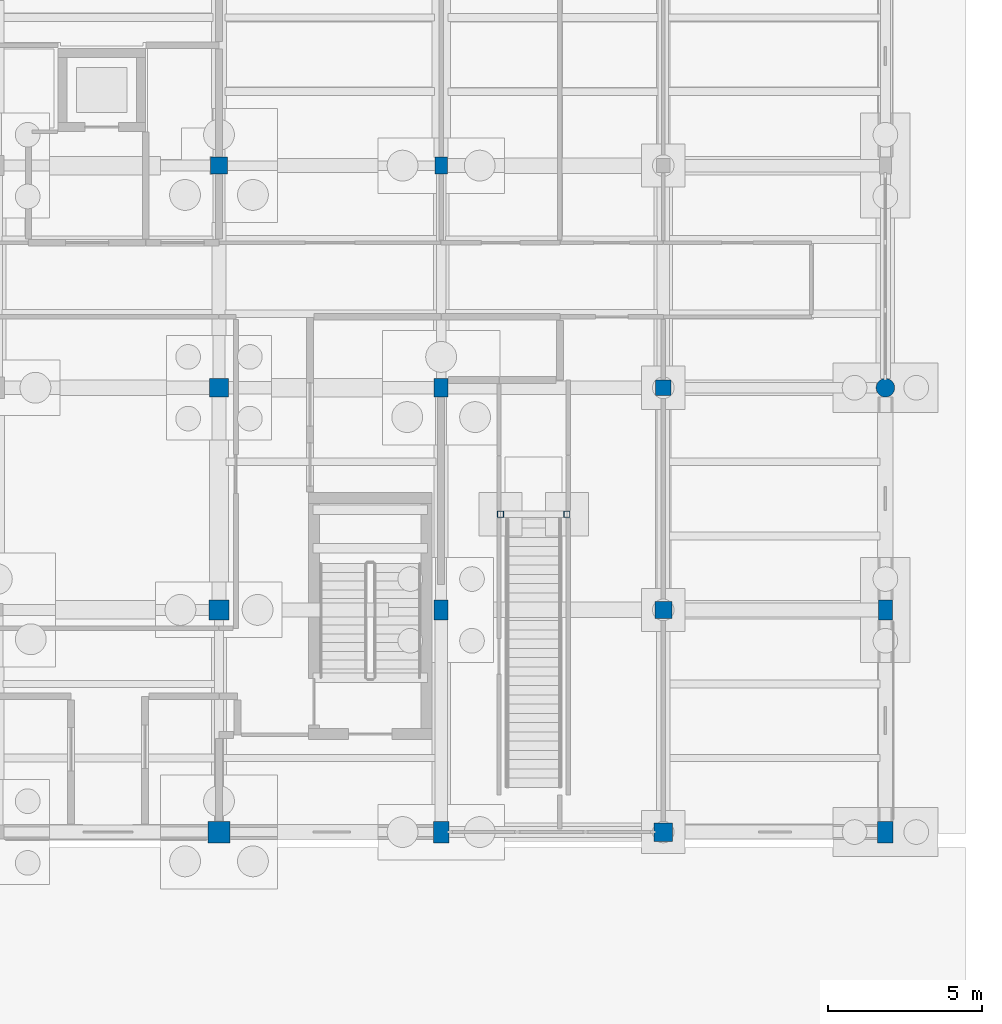
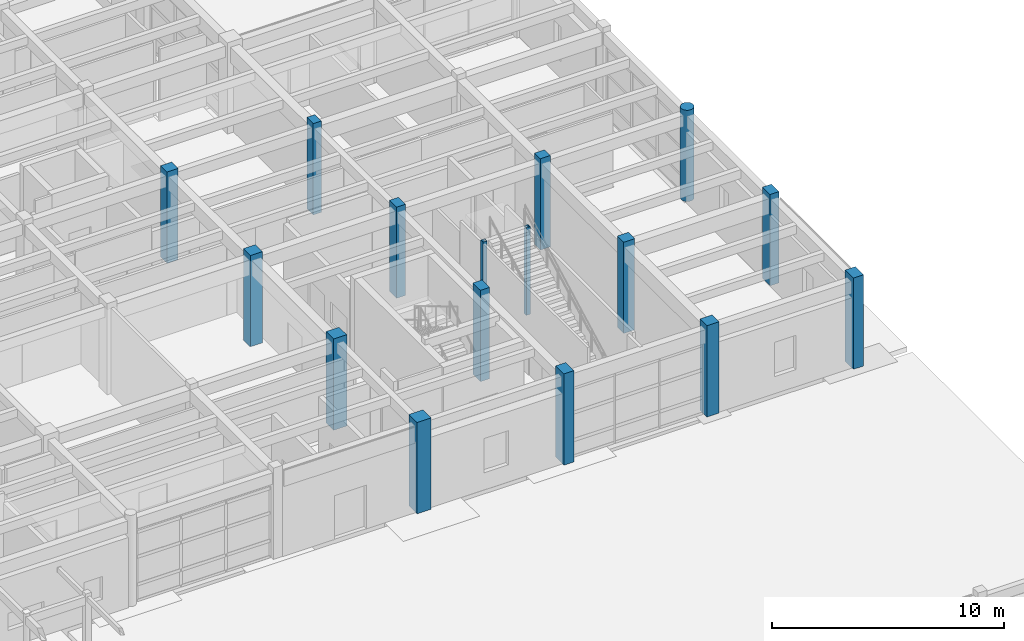
# One storey, part 30 of 143: 16 columns.
"""IFC4 building model written with IfcOpenShell, lengths in metres."""

from ifc_helpers import new_model, si_unit, direction, frame, origin, origin_2d, place, context, subcontext, project, spatial, rectangle, hollow_rectangle, circle, extrude, material, material_profile, profile_set, type_object, element, save


model = new_model("IFC4")

# Units and contexts
model_context = context("Model", 3, precision=1e-05, world=origin(), true_north=direction((0.0, 1.0)))
body_context = subcontext(model_context, "Body", "Model", "MODEL_VIEW")
ifc_project = project(units=[si_unit("LENGTHUNIT", "METRE"), si_unit("AREAUNIT", "SQUARE_METRE"), si_unit("VOLUMEUNIT", "CUBIC_METRE"), si_unit("PLANEANGLEUNIT", "RADIAN"), si_unit("MASSUNIT", "GRAM", prefix="KILO")], contexts=[model_context])

# Site, building, storey
site_placement = place(None, origin())
site = spatial("IfcSite", under=ifc_project, at=site_placement, CompositionType="ELEMENT")
building_placement = place(site_placement, origin())
building = spatial("IfcBuilding", under=site, at=building_placement, Name="Steenspoor Specialist Clinic", CompositionType="ELEMENT")
storey_placement = place(building_placement, origin())
storey = spatial("IfcBuildingStorey", under=building, at=storey_placement, Name="L00", CompositionType="ELEMENT", Elevation=0.0)

# Columns
ifc_material_1 = material(Name="Concrete C40/50", Category="concrete")
ifc_material_profile_1 = material_profile(ifc_material_1, rectangle(XDim=0.39990234375, YDim=0.550048828125, at=origin_2d()), Name="RC-COL-400X550")
ifc_profile_set_1 = profile_set([ifc_material_profile_1], Name="Concrete C40/50")
column_type_1 = type_object("IfcColumnType", Name="COL-RC-400X550", PredefinedType="COLUMN", material=ifc_profile_set_1)
column_1_placement = place(storey_placement, frame((146.800048828125, 86.75, 0.0), z_axis=(0.0, 0.0, 1.0), x_axis=(1.0, 0.0, 0.0)))
element("IfcColumn", 1, at=column_1_placement, inside=storey, type_object=column_type_1, Name="Column COL-L00-0791", PredefinedType="COLUMN", context=body_context, shape_type="SweptSolid", body=[
    extrude(rectangle(XDim=0.39990234375, YDim=0.550048828125, at=origin_2d()), origin(), (0.0, 0.0, 1.0), 4.800048828125),
])
ifc_material_profile_2 = material_profile(ifc_material_1, rectangle(XDim=0.449951171875, YDim=0.60009765625, at=origin_2d()), Name="RC-COL-450X600")
ifc_profile_set_2 = profile_set([ifc_material_profile_2], Name="Concrete C40/50")
column_type_2 = type_object("IfcColumnType", Name="COL-RC-450X600", PredefinedType="COLUMN", material=ifc_profile_set_2)
column_2_placement = place(storey_placement, frame((146.800048828125, 79.550048828125, 0.0), z_axis=(0.0, 0.0, 1.0), x_axis=(1.0, 0.0, 0.0)))
element("IfcColumn", 2, at=column_2_placement, inside=storey, type_object=column_type_2, Name="Column COL-L00-0786", PredefinedType="COLUMN", context=body_context, shape_type="SweptSolid", body=[
    extrude(rectangle(XDim=0.449951171875, YDim=0.60009765625, at=origin_2d()), origin(), (0.0, 0.0, 1.0), 4.800048828125),
])
ifc_material_profile_3 = material_profile(ifc_material_1, rectangle(XDim=0.449951171875, YDim=0.64990234375, at=origin_2d()), Name="RC-COL-450X650")
ifc_profile_set_3 = profile_set([ifc_material_profile_3], Name="Concrete C40/50")
column_type_3 = type_object("IfcColumnType", Name="COL-RC-450X650", PredefinedType="COLUMN", material=ifc_profile_set_3)
for number, where, z_axis, x_axis, name in (
    (3, (146.800048828125, 72.35009765625, 0.0), (0.0, 0.0, 1.0), (1.0, 0.0, 0.0), "Column COL-L00-0781"),
    (4, (161.199951171875, 72.35009765625, 0.0), (0.0, 0.0, 1.0), (1.0, 0.0, 0.0), "Column COL-L00-0826"),
):
    element("IfcColumn", number, at=place(storey_placement, frame(where, z_axis=z_axis, x_axis=x_axis)), inside=storey, type_object=column_type_3, Name=name, PredefinedType="COLUMN", context=body_context, shape_type="SweptSolid", body=[
        extrude(rectangle(XDim=0.449951171875, YDim=0.64990234375, at=origin_2d()), origin(), (0.0, 0.0, 1.0), 4.800048828125),
    ])
ifc_material_profile_4 = material_profile(ifc_material_1, rectangle(XDim=0.5, YDim=0.5, at=origin_2d()), Name="RC-COL-500X500")
ifc_profile_set_4 = profile_set([ifc_material_profile_4], Name="Concrete C40/50")
column_type_4 = type_object("IfcColumnType", Name="COL-RC-500", PredefinedType="COLUMN", material=ifc_profile_set_4)
column_3_placement = place(storey_placement, frame((154.0, 79.550048828125, 0.0), z_axis=(0.0, 0.0, 1.0), x_axis=(1.0, 0.0, 0.0)))
element("IfcColumn", 5, at=column_3_placement, inside=storey, type_object=column_type_4, Name="Column COL-L00-0815", PredefinedType="COLUMN", context=body_context, shape_type="SweptSolid", body=[
    extrude(rectangle(XDim=0.5, YDim=0.5, at=origin_2d()), origin(), (0.0, 0.0, 1.0), 4.800048828125),
])
ifc_material_profile_5 = material_profile(ifc_material_1, rectangle(XDim=0.5, YDim=0.699951171875, at=origin_2d()), Name="RC-COL-500X700")
ifc_profile_set_5 = profile_set([ifc_material_profile_5], Name="Concrete C40/50")
column_type_5 = type_object("IfcColumnType", Name="COL-RC-500X700", PredefinedType="COLUMN", material=ifc_profile_set_5)
for number, where, z_axis, x_axis, name in (
    (6, (146.800048828125, 65.14990234375, 0.0), (0.0, 0.0, 1.0), (1.0, 0.0, 0.0), "Column COL-L00-0777"),
    (7, (161.199951171875, 65.14990234375, 0.0), (0.0, 0.0, 1.0), (1.0, 0.0, 0.0), "Column COL-L00-0824"),
):
    element("IfcColumn", number, at=place(storey_placement, frame(where, z_axis=z_axis, x_axis=x_axis)), inside=storey, type_object=column_type_5, Name=name, PredefinedType="COLUMN", context=body_context, shape_type="SweptSolid", body=[
        extrude(rectangle(XDim=0.5, YDim=0.699951171875, at=origin_2d()), origin(), (0.0, 0.0, 1.0), 4.800048828125),
    ])
ifc_material_profile_6 = material_profile(ifc_material_1, rectangle(XDim=0.550048828125, YDim=0.550048828125, at=origin_2d()), Name="RC-COL-550X550")
ifc_profile_set_6 = profile_set([ifc_material_profile_6], Name="Concrete C40/50")
column_type_6 = type_object("IfcColumnType", Name="COL-RC-550", PredefinedType="COLUMN", material=ifc_profile_set_6)
for number, where, z_axis, x_axis, name in (
    (8, (139.60009765625, 86.75, 0.0), (0.0, 0.0, 1.0), (1.0, 0.0, 0.0), "Column COL-L00-0759"),
    (9, (154.0, 72.35009765625, 0.0), (0.0, 0.0, 1.0), (1.0, 0.0, 0.0), "Column COL-L00-0812"),
):
    element("IfcColumn", number, at=place(storey_placement, frame(where, z_axis=z_axis, x_axis=x_axis)), inside=storey, type_object=column_type_6, Name=name, PredefinedType="COLUMN", context=body_context, shape_type="SweptSolid", body=[
        extrude(rectangle(XDim=0.550048828125, YDim=0.550048828125, at=origin_2d()), origin(), (0.0, 0.0, 1.0), 4.800048828125),
    ])
ifc_material_profile_7 = material_profile(ifc_material_1, rectangle(XDim=0.60009765625, YDim=0.60009765625, at=origin_2d()), Name="RC-COL-600X600")
ifc_profile_set_7 = profile_set([ifc_material_profile_7], Name="Concrete C40/50")
column_type_7 = type_object("IfcColumnType", Name="COL-RC-600", PredefinedType="COLUMN", material=ifc_profile_set_7)
for number, where, z_axis, x_axis, name in (
    (10, (139.60009765625, 79.550048828125, 0.0), (0.0, 0.0, 1.0), (1.0, 0.0, 0.0), "Column COL-L00-0754"),
    (11, (154.0, 65.14990234375, 0.0), (0.0, 0.0, 1.0), (1.0, 0.0, 0.0), "Column COL-L00-0809"),
):
    element("IfcColumn", number, at=place(storey_placement, frame(where, z_axis=z_axis, x_axis=x_axis)), inside=storey, type_object=column_type_7, Name=name, PredefinedType="COLUMN", context=body_context, shape_type="SweptSolid", body=[
        extrude(rectangle(XDim=0.60009765625, YDim=0.60009765625, at=origin_2d()), origin(), (0.0, 0.0, 1.0), 4.800048828125),
    ])
ifc_material_profile_8 = material_profile(ifc_material_1, rectangle(XDim=0.64990234375, YDim=0.64990234375, at=origin_2d()), Name="RC-COL-650X650")
ifc_profile_set_8 = profile_set([ifc_material_profile_8], Name="Concrete C40/50")
column_type_8 = type_object("IfcColumnType", Name="COL-RC-650", PredefinedType="COLUMN", material=ifc_profile_set_8)
column_4_placement = place(storey_placement, frame((139.60009765625, 72.35009765625, 0.0), z_axis=(0.0, 0.0, 1.0), x_axis=(1.0, 0.0, 0.0)))
element("IfcColumn", 12, at=column_4_placement, inside=storey, type_object=column_type_8, Name="Column COL-L00-0749", PredefinedType="COLUMN", context=body_context, shape_type="SweptSolid", body=[
    extrude(rectangle(XDim=0.64990234375, YDim=0.64990234375, at=origin_2d()), origin(), (0.0, 0.0, 1.0), 4.800048828125),
])
ifc_material_profile_9 = material_profile(ifc_material_1, rectangle(XDim=0.699951171875, YDim=0.699951171875, at=origin_2d()), Name="RC-COL-700X700")
ifc_profile_set_9 = profile_set([ifc_material_profile_9], Name="Concrete C40/50")
column_type_9 = type_object("IfcColumnType", Name="COL-RC-700", PredefinedType="COLUMN", material=ifc_profile_set_9)
column_5_placement = place(storey_placement, frame((139.60009765625, 65.14990234375, 0.0), z_axis=(0.0, 0.0, 1.0), x_axis=(1.0, 0.0, 0.0)))
element("IfcColumn", 13, at=column_5_placement, inside=storey, type_object=column_type_9, Name="Column COL-L00-0745", PredefinedType="COLUMN", context=body_context, shape_type="SweptSolid", body=[
    extrude(rectangle(XDim=0.699951171875, YDim=0.699951171875, at=origin_2d()), origin(), (0.0, 0.0, 1.0), 4.800048828125),
])
ifc_material_profile_10 = material_profile(ifc_material_1, circle(Radius=0.300048828125, at=origin_2d()), Name="RC-COL-D600")
ifc_profile_set_10 = profile_set([ifc_material_profile_10], Name="Concrete C40/50")
column_type_10 = type_object("IfcColumnType", Name="COL-RC-D600", PredefinedType="COLUMN", material=ifc_profile_set_10)
column_6_placement = place(storey_placement, frame((161.199951171875, 79.550048828125, 0.0), z_axis=(0.0, 0.0, 1.0), x_axis=(1.0, 0.0, 0.0)))
element("IfcColumn", 14, at=column_6_placement, inside=storey, type_object=column_type_10, Name="Column COL-L00-0828", PredefinedType="COLUMN", context=body_context, shape_type="SweptSolid", body=[
    extrude(circle(Radius=0.300048828125, at=origin_2d()), origin(), (0.0, 0.0, 1.0), 4.800048828125),
])
ifc_material_2 = material(Name="Steel A500 Grade C", Category="steel")
ifc_material_profile_11 = material_profile(ifc_material_2, hollow_rectangle(XDim=0.203125, YDim=0.203125, WallThickness=0.01171875, at=origin_2d()), Name="HSS203X203X12.7")
ifc_profile_set_11 = profile_set([ifc_material_profile_11], Name="Steel A500 Grade C")
column_type_11 = type_object("IfcColumnType", Name="COL-ST-HSS203", PredefinedType="COLUMN", material=ifc_profile_set_11)
for number, where, z_axis, x_axis, name in (
    (15, (148.72509765625, 75.449951171875, 0.0), (0.0, 0.0, 1.0), (1.0, 0.0, 0.0), "Feature Stair Post ST-F04 L"),
    (16, (150.875, 75.449951171875, 0.0), (0.0, 0.0, 1.0), (1.0, 0.0, 0.0), "Feature Stair Post ST-F04 R"),
):
    element("IfcColumn", number, at=place(storey_placement, frame(where, z_axis=z_axis, x_axis=x_axis)), inside=storey, type_object=column_type_11, Name=name, PredefinedType="COLUMN", context=body_context, shape_type="SweptSolid", body=[
        extrude(hollow_rectangle(XDim=0.203125, YDim=0.203125, WallThickness=0.01171875, at=origin_2d()), origin(), (0.0, 0.0, 1.0), 4.60009765625),
    ])

save(model, "model.ifc")
